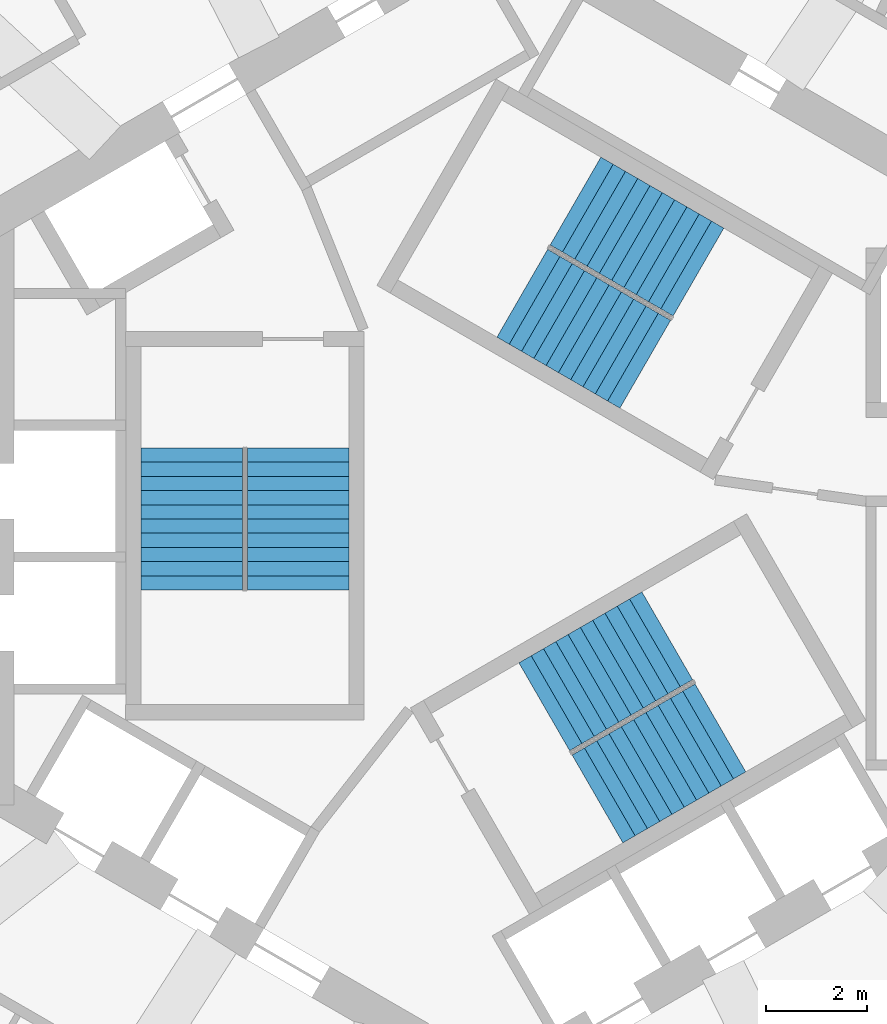
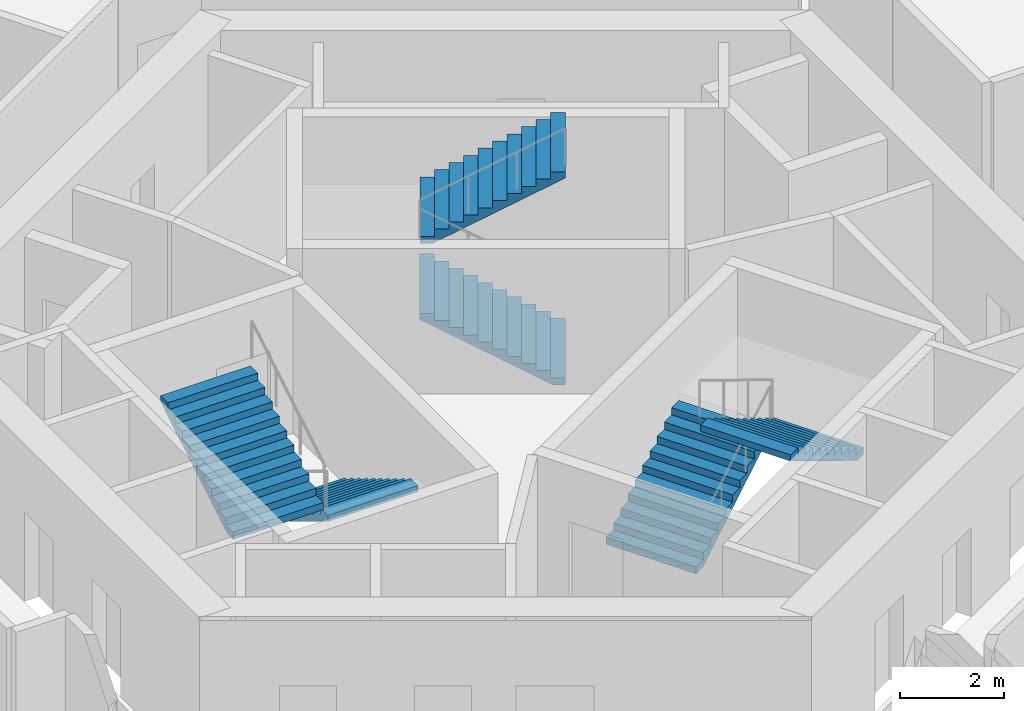
# One storey, part 9 of 11: 6 stair flights, 3 elements without a shape of their own.
"""IFC4 building model written with IfcOpenShell, lengths in metres."""

from ifc_helpers import new_model, si_unit, direction, frame, origin, place, context, subcontext, project, spatial, triangles, source, transform, mapped, material, type_object, element, aggregate, save


model = new_model("IFC4")

# Units and contexts
model_context = context("Model", 3, precision=1e-05, world=origin(), true_north=direction((0.0, 1.0)))
body_context = subcontext(model_context, "Body", "Model", "MODEL_VIEW")
ifc_project = project(units=[si_unit("LENGTHUNIT", "METRE"), si_unit("AREAUNIT", "SQUARE_METRE"), si_unit("VOLUMEUNIT", "CUBIC_METRE"), si_unit("PLANEANGLEUNIT", "RADIAN"), si_unit("MASSUNIT", "GRAM", prefix="KILO")], contexts=[model_context])

# Site, building, storey
site_placement = place(None, origin())
site = spatial("IfcSite", under=ifc_project, at=site_placement, CompositionType="ELEMENT")
building_placement = place(site_placement, origin())
building = spatial("IfcBuilding", under=site, at=building_placement, Name="Vanh Sen Convention Tower", CompositionType="ELEMENT")
storey_placement = place(building_placement, frame((0.0, 0.0, 285.699951171875)))
storey = spatial("IfcBuildingStorey", under=building, at=storey_placement, Name="L70", CompositionType="ELEMENT", Elevation=285.699951171875)

# Stair, stair flights
ifc_material_1 = material(Name="Concrete C50/60", Category="concrete")
stair_type_1 = type_object("IfcStairType", Name="Exit stair ST1 22 risers at 168.2", PredefinedType="HALF_TURN_STAIR", material=ifc_material_1)
stair_1_placement = place(storey_placement, origin())
stair_1 = element("IfcStair", 1, at=stair_1_placement, inside=storey, type_object=stair_type_1, Name="Exit stair ST1 L70", PredefinedType="HALF_TURN_STAIR")
ifc_material_2 = material(Name="Concrete C40/50", Category="concrete")
stair_flight_type = type_object("IfcStairFlightType", Name="Stair flight 2000", PredefinedType="STRAIGHT", material=ifc_material_2)
shared_shape = source(origin(), body_context, "Body", "Tessellation", [
    triangles([(0.24267578125, 1.0, 0.0), (0.0, 1.0, 0.0), (0.0, 1.0, 0.168212890625), (0.280029296875, 1.0, 0.168212890625), (0.280029296875, 1.0, 0.33642578125), (0.56005859375, 1.0, 0.33642578125), (0.56005859375, 1.0, 0.504638671875), (0.840087890625, 1.0, 0.504638671875), (0.840087890625, 1.0, 0.672607421875), (1.1201171875, 1.0, 0.672607421875), (1.1201171875, 1.0, 0.8408203125), (1.39990234375, 1.0, 0.8408203125), (1.39990234375, 1.0, 1.009033203125), (1.679931640625, 1.0, 1.009033203125), (1.679931640625, 1.0, 1.17724609375), (1.9599609375, 1.0, 1.17724609375), (1.9599609375, 1.0, 1.345458984375), (2.239990234375, 1.0, 1.345458984375), (2.239990234375, 1.0, 1.513671875), (2.52001953125, 1.0, 1.513671875), (2.52001953125, 1.0, 1.681884765625), (2.800048828125, 1.0, 1.681884765625), (2.800048828125, 1.0, 1.535888671875), (0.24267578125, -1.0, 0.0), (0.0, -1.0, 0.0), (0.0, -1.0, 0.168212890625), (0.280029296875, -1.0, 0.168212890625), (0.280029296875, -1.0, 0.33642578125), (0.56005859375, -1.0, 0.33642578125), (0.56005859375, -1.0, 0.504638671875), (0.840087890625, -1.0, 0.504638671875), (0.840087890625, -1.0, 0.672607421875), (1.1201171875, -1.0, 0.672607421875), (1.1201171875, -1.0, 0.8408203125), (1.39990234375, -1.0, 0.8408203125), (1.39990234375, -1.0, 1.009033203125), (1.679931640625, -1.0, 1.009033203125), (1.679931640625, -1.0, 1.17724609375), (1.9599609375, -1.0, 1.17724609375), (1.9599609375, -1.0, 1.345458984375), (2.239990234375, -1.0, 1.345458984375), (2.239990234375, -1.0, 1.513671875), (2.52001953125, -1.0, 1.513671875), (2.52001953125, -1.0, 1.681884765625), (2.800048828125, -1.0, 1.681884765625), (2.800048828125, -1.0, 1.535888671875), (0.0, 0.0400390625, 0.0), (0.0, 0.0390625, 0.0), (0.0, 0.0380859375, 0.0), (0.0, 0.037109375, 0.0), (0.0, 0.035888671875, 0.0), (0.0, 0.034912109375, 0.0), (0.0, 0.033935546875, 0.0), (0.0, 0.032958984375, 0.0), (0.0, 0.031982421875, 0.0), (0.0, 0.031005859375, 0.0), (0.0, 0.030029296875, 0.0), (0.0, 0.029052734375, 0.0), (0.0, 0.028076171875, 0.0), (0.0, 0.027099609375, 0.0), (0.0, 0.02587890625, 0.0), (0.0, 0.02490234375, 0.0), (0.0, 0.02392578125, 0.0), (0.0, 0.02294921875, 0.0), (0.0, 0.02197265625, 0.0), (0.0, 0.02099609375, 0.0), (0.0, 0.02001953125, 0.0), (0.0, 0.01904296875, 0.0), (0.0, 0.01806640625, 0.0), (0.0, 0.01708984375, 0.0), (0.0, 0.01611328125, 0.0), (0.0, 0.014892578125, 0.0), (0.0, 0.013916015625, 0.0), (0.0, 0.012939453125, 0.0), (0.0, 0.011962890625, 0.0), (0.0, 0.010986328125, 0.0), (0.0, 0.010009765625, 0.0), (0.0, 0.009033203125, 0.0), (0.0, 0.008056640625, 0.0), (0.0, 0.007080078125, 0.0), (0.0, 0.006103515625, 0.0), (0.0, 0.0048828125, 0.0), (0.0, 0.00390625, 0.0), (0.0, 0.0029296875, 0.0), (0.0, 0.001953125, 0.0), (0.0, 0.0009765625, 0.0), (0.0, 0.0, 0.0), (0.0, -0.0009765625, 0.0), (0.0, -0.001953125, 0.0), (0.0, -0.0029296875, 0.0), (0.0, -0.00390625, 0.0), (0.0, -0.0048828125, 0.0), (0.0, -0.006103515625, 0.0), (0.0, -0.007080078125, 0.0), (0.0, -0.008056640625, 0.0), (0.0, -0.009033203125, 0.0), (0.0, -0.010009765625, 0.0), (0.0, -0.010986328125, 0.0), (0.0, -0.011962890625, 0.0), (0.0, -0.012939453125, 0.0), (0.0, -0.013916015625, 0.0), (0.0, -0.014892578125, 0.0), (0.0, -0.01611328125, 0.0), (0.0, -0.01708984375, 0.0), (0.0, -0.01806640625, 0.0), (0.0, -0.01904296875, 0.0), (0.0, -0.02001953125, 0.0), (0.0, -0.02099609375, 0.0), (0.0, -0.02197265625, 0.0), (0.0, -0.02294921875, 0.0), (0.0, -0.02392578125, 0.0), (0.0, -0.02490234375, 0.0), (0.0, -0.02587890625, 0.0), (0.0, -0.027099609375, 0.0), (0.0, -0.028076171875, 0.0), (0.0, -0.029052734375, 0.0), (0.0, -0.030029296875, 0.0), (0.0, -0.031005859375, 0.0), (0.0, -0.031982421875, 0.0), (0.0, -0.032958984375, 0.0), (0.0, -0.033935546875, 0.0), (0.0, -0.034912109375, 0.0), (0.0, -0.035888671875, 0.0), (0.0, -0.037109375, 0.0), (0.0, -0.0380859375, 0.0), (0.0, -0.0390625, 0.0), (0.0, -0.0400390625, 0.0), (0.0, 0.0400390625, 0.168212890625), (0.0, 0.0390625, 0.168212890625), (0.0, 0.0380859375, 0.168212890625), (0.0, 0.037109375, 0.168212890625), (0.0, 0.035888671875, 0.168212890625), (0.0, 0.034912109375, 0.168212890625), (0.0, 0.033935546875, 0.168212890625), (0.0, 0.032958984375, 0.168212890625), (0.0, 0.031982421875, 0.168212890625), (0.0, 0.031005859375, 0.168212890625), (0.0, 0.030029296875, 0.168212890625), (0.0, 0.029052734375, 0.168212890625), (0.0, 0.028076171875, 0.168212890625), (0.0, 0.027099609375, 0.168212890625), (0.0, 0.02587890625, 0.168212890625), (0.0, 0.02490234375, 0.168212890625), (0.0, 0.02392578125, 0.168212890625), (0.0, 0.02294921875, 0.168212890625), (0.0, 0.02197265625, 0.168212890625), (0.0, 0.02099609375, 0.168212890625), (0.0, 0.02001953125, 0.168212890625), (0.0, 0.01904296875, 0.168212890625), (0.0, 0.01806640625, 0.168212890625), (0.0, 0.01708984375, 0.168212890625), (0.0, 0.01611328125, 0.168212890625), (0.0, 0.014892578125, 0.168212890625), (0.0, 0.013916015625, 0.168212890625), (0.0, 0.012939453125, 0.168212890625), (0.0, 0.011962890625, 0.168212890625), (0.0, 0.010986328125, 0.168212890625), (0.0, 0.010009765625, 0.168212890625), (0.0, 0.009033203125, 0.168212890625), (0.0, 0.008056640625, 0.168212890625), (0.0, 0.007080078125, 0.168212890625), (0.0, 0.006103515625, 0.168212890625), (0.0, 0.0048828125, 0.168212890625), (0.0, 0.00390625, 0.168212890625), (0.0, 0.0029296875, 0.168212890625), (0.0, 0.001953125, 0.168212890625), (0.0, 0.0009765625, 0.168212890625), (0.0, 0.0, 0.168212890625), (0.0, -0.0009765625, 0.168212890625), (0.0, -0.001953125, 0.168212890625), (0.0, -0.0029296875, 0.168212890625), (0.0, -0.00390625, 0.168212890625), (0.0, -0.0048828125, 0.168212890625), (0.0, -0.006103515625, 0.168212890625), (0.0, -0.007080078125, 0.168212890625), (0.0, -0.008056640625, 0.168212890625), (0.0, -0.009033203125, 0.168212890625), (0.0, -0.010009765625, 0.168212890625), (0.0, -0.010986328125, 0.168212890625), (0.0, -0.011962890625, 0.168212890625), (0.0, -0.012939453125, 0.168212890625), (0.0, -0.013916015625, 0.168212890625), (0.0, -0.014892578125, 0.168212890625), (0.0, -0.01611328125, 0.168212890625), (0.0, -0.01708984375, 0.168212890625), (0.0, -0.01806640625, 0.168212890625), (0.0, -0.01904296875, 0.168212890625), (0.0, -0.02001953125, 0.168212890625), (0.0, -0.02099609375, 0.168212890625), (0.0, -0.02197265625, 0.168212890625), (0.0, -0.02294921875, 0.168212890625), (0.0, -0.02392578125, 0.168212890625), (0.0, -0.02490234375, 0.168212890625), (0.0, -0.02587890625, 0.168212890625), (0.0, -0.027099609375, 0.168212890625), (0.0, -0.028076171875, 0.168212890625), (0.0, -0.029052734375, 0.168212890625), (0.0, -0.030029296875, 0.168212890625), (0.0, -0.031005859375, 0.168212890625), (0.0, -0.031982421875, 0.168212890625), (0.0, -0.032958984375, 0.168212890625), (0.0, -0.033935546875, 0.168212890625), (0.0, -0.034912109375, 0.168212890625), (0.0, -0.035888671875, 0.168212890625), (0.0, -0.037109375, 0.168212890625), (0.0, -0.0380859375, 0.168212890625), (0.0, -0.0390625, 0.168212890625), (0.0, -0.0400390625, 0.168212890625), (0.280029296875, 0.0, 0.168212890625), (0.280029296875, 0.0, 0.33642578125), (0.56005859375, 0.0, 0.33642578125), (0.56005859375, 0.0, 0.504638671875), (0.840087890625, 0.0, 0.504638671875), (0.840087890625, 0.0, 0.672607421875), (1.1201171875, 0.0, 0.672607421875), (1.1201171875, 0.0, 0.8408203125), (1.39990234375, 0.0, 0.8408203125), (1.39990234375, 0.0, 1.009033203125), (1.679931640625, 0.0, 1.009033203125), (1.679931640625, 0.0, 1.17724609375), (1.9599609375, 0.0, 1.17724609375), (1.9599609375, 0.0, 1.345458984375), (2.239990234375, 0.0, 1.345458984375), (2.239990234375, 0.0, 1.513671875), (2.52001953125, 0.0, 1.513671875), (2.52001953125, 0.0, 1.681884765625), (2.800048828125, 0.0400390625, 1.681884765625), (2.800048828125, 0.0390625, 1.681884765625), (2.800048828125, 0.0380859375, 1.681884765625), (2.800048828125, 0.037109375, 1.681884765625), (2.800048828125, 0.035888671875, 1.681884765625), (2.800048828125, 0.034912109375, 1.681884765625), (2.800048828125, 0.033935546875, 1.681884765625), (2.800048828125, 0.032958984375, 1.681884765625), (2.800048828125, 0.031982421875, 1.681884765625), (2.800048828125, 0.031005859375, 1.681884765625), (2.800048828125, 0.030029296875, 1.681884765625), (2.800048828125, 0.029052734375, 1.681884765625), (2.800048828125, 0.028076171875, 1.681884765625), (2.800048828125, 0.027099609375, 1.681884765625), (2.800048828125, 0.02587890625, 1.681884765625), (2.800048828125, 0.02490234375, 1.681884765625), (2.800048828125, 0.02392578125, 1.681884765625), (2.800048828125, 0.02294921875, 1.681884765625), (2.800048828125, 0.02197265625, 1.681884765625), (2.800048828125, 0.02099609375, 1.681884765625), (2.800048828125, 0.02001953125, 1.681884765625), (2.800048828125, 0.01904296875, 1.681884765625), (2.800048828125, 0.01806640625, 1.681884765625), (2.800048828125, 0.01708984375, 1.681884765625), (2.800048828125, 0.01611328125, 1.681884765625), (2.800048828125, 0.014892578125, 1.681884765625), (2.800048828125, 0.013916015625, 1.681884765625), (2.800048828125, 0.012939453125, 1.681884765625), (2.800048828125, 0.011962890625, 1.681884765625), (2.800048828125, 0.010986328125, 1.681884765625), (2.800048828125, 0.010009765625, 1.681884765625), (2.800048828125, 0.009033203125, 1.681884765625), (2.800048828125, 0.008056640625, 1.681884765625), (2.800048828125, 0.007080078125, 1.681884765625), (2.800048828125, 0.006103515625, 1.681884765625), (2.800048828125, 0.0048828125, 1.681884765625), (2.800048828125, 0.00390625, 1.681884765625), (2.800048828125, 0.0029296875, 1.681884765625), (2.800048828125, 0.001953125, 1.681884765625), (2.800048828125, 0.0009765625, 1.681884765625), (2.800048828125, 0.0, 1.681884765625), (2.800048828125, -0.0009765625, 1.681884765625), (2.800048828125, -0.001953125, 1.681884765625), (2.800048828125, -0.0029296875, 1.681884765625), (2.800048828125, -0.00390625, 1.681884765625), (2.800048828125, -0.0048828125, 1.681884765625), (2.800048828125, -0.006103515625, 1.681884765625), (2.800048828125, -0.007080078125, 1.681884765625), (2.800048828125, -0.008056640625, 1.681884765625), (2.800048828125, -0.009033203125, 1.681884765625), (2.800048828125, -0.010009765625, 1.681884765625), (2.800048828125, -0.010986328125, 1.681884765625), (2.800048828125, -0.011962890625, 1.681884765625), (2.800048828125, -0.012939453125, 1.681884765625), (2.800048828125, -0.013916015625, 1.681884765625), (2.800048828125, -0.014892578125, 1.681884765625), (2.800048828125, -0.01611328125, 1.681884765625), (2.800048828125, -0.01708984375, 1.681884765625), (2.800048828125, -0.01806640625, 1.681884765625), (2.800048828125, -0.01904296875, 1.681884765625), (2.800048828125, -0.02001953125, 1.681884765625), (2.800048828125, -0.02099609375, 1.681884765625), (2.800048828125, -0.02197265625, 1.681884765625), (2.800048828125, -0.02294921875, 1.681884765625), (2.800048828125, -0.02392578125, 1.681884765625), (2.800048828125, -0.02490234375, 1.681884765625), (2.800048828125, -0.02587890625, 1.681884765625), (2.800048828125, -0.027099609375, 1.681884765625), (2.800048828125, -0.028076171875, 1.681884765625), (2.800048828125, -0.029052734375, 1.681884765625), (2.800048828125, -0.030029296875, 1.681884765625), (2.800048828125, -0.031005859375, 1.681884765625), (2.800048828125, -0.031982421875, 1.681884765625), (2.800048828125, -0.032958984375, 1.681884765625), (2.800048828125, -0.033935546875, 1.681884765625), (2.800048828125, -0.034912109375, 1.681884765625), (2.800048828125, -0.035888671875, 1.681884765625), (2.800048828125, -0.037109375, 1.681884765625), (2.800048828125, -0.0380859375, 1.681884765625), (2.800048828125, -0.0390625, 1.681884765625), (2.800048828125, -0.0400390625, 1.681884765625), (2.800048828125, 0.0400390625, 1.535888671875), (2.800048828125, 0.0390625, 1.535888671875), (2.800048828125, 0.0380859375, 1.535888671875), (2.800048828125, 0.037109375, 1.535888671875), (2.800048828125, 0.035888671875, 1.535888671875), (2.800048828125, 0.034912109375, 1.535888671875), (2.800048828125, 0.033935546875, 1.535888671875), (2.800048828125, 0.032958984375, 1.535888671875), (2.800048828125, 0.031982421875, 1.535888671875), (2.800048828125, 0.031005859375, 1.535888671875), (2.800048828125, 0.030029296875, 1.535888671875), (2.800048828125, 0.029052734375, 1.535888671875), (2.800048828125, 0.028076171875, 1.535888671875), (2.800048828125, 0.027099609375, 1.535888671875), (2.800048828125, 0.02587890625, 1.535888671875), (2.800048828125, 0.02490234375, 1.535888671875), (2.800048828125, 0.02392578125, 1.535888671875), (2.800048828125, 0.02294921875, 1.535888671875), (2.800048828125, 0.02197265625, 1.535888671875), (2.800048828125, 0.02099609375, 1.535888671875), (2.800048828125, 0.02001953125, 1.535888671875), (2.800048828125, 0.01904296875, 1.535888671875), (2.800048828125, 0.01806640625, 1.535888671875), (2.800048828125, 0.01708984375, 1.535888671875), (2.800048828125, 0.01611328125, 1.535888671875), (2.800048828125, 0.014892578125, 1.535888671875), (2.800048828125, 0.013916015625, 1.535888671875), (2.800048828125, 0.012939453125, 1.535888671875), (2.800048828125, 0.011962890625, 1.535888671875), (2.800048828125, 0.010986328125, 1.535888671875), (2.800048828125, 0.010009765625, 1.535888671875), (2.800048828125, 0.009033203125, 1.535888671875), (2.800048828125, 0.008056640625, 1.535888671875), (2.800048828125, 0.007080078125, 1.535888671875), (2.800048828125, 0.006103515625, 1.535888671875), (2.800048828125, 0.0048828125, 1.535888671875), (2.800048828125, 0.00390625, 1.535888671875), (2.800048828125, 0.0029296875, 1.535888671875), (2.800048828125, 0.001953125, 1.535888671875), (2.800048828125, 0.0009765625, 1.535888671875), (2.800048828125, 0.0, 1.535888671875), (2.800048828125, -0.0009765625, 1.535888671875), (2.800048828125, -0.001953125, 1.535888671875), (2.800048828125, -0.0029296875, 1.535888671875), (2.800048828125, -0.00390625, 1.535888671875), (2.800048828125, -0.0048828125, 1.535888671875), (2.800048828125, -0.006103515625, 1.535888671875), (2.800048828125, -0.007080078125, 1.535888671875), (2.800048828125, -0.008056640625, 1.535888671875), (2.800048828125, -0.009033203125, 1.535888671875), (2.800048828125, -0.010009765625, 1.535888671875), (2.800048828125, -0.010986328125, 1.535888671875), (2.800048828125, -0.011962890625, 1.535888671875), (2.800048828125, -0.012939453125, 1.535888671875), (2.800048828125, -0.013916015625, 1.535888671875), (2.800048828125, -0.014892578125, 1.535888671875), (2.800048828125, -0.01611328125, 1.535888671875), (2.800048828125, -0.01708984375, 1.535888671875), (2.800048828125, -0.01806640625, 1.535888671875), (2.800048828125, -0.01904296875, 1.535888671875), (2.800048828125, -0.02001953125, 1.535888671875), (2.800048828125, -0.02099609375, 1.535888671875), (2.800048828125, -0.02197265625, 1.535888671875), (2.800048828125, -0.02294921875, 1.535888671875), (2.800048828125, -0.02392578125, 1.535888671875), (2.800048828125, -0.02490234375, 1.535888671875), (2.800048828125, -0.02587890625, 1.535888671875), (2.800048828125, -0.027099609375, 1.535888671875), (2.800048828125, -0.028076171875, 1.535888671875), (2.800048828125, -0.029052734375, 1.535888671875), (2.800048828125, -0.030029296875, 1.535888671875), (2.800048828125, -0.031005859375, 1.535888671875), (2.800048828125, -0.031982421875, 1.535888671875), (2.800048828125, -0.032958984375, 1.535888671875), (2.800048828125, -0.033935546875, 1.535888671875), (2.800048828125, -0.034912109375, 1.535888671875), (2.800048828125, -0.035888671875, 1.535888671875), (2.800048828125, -0.037109375, 1.535888671875), (2.800048828125, -0.0380859375, 1.535888671875), (2.800048828125, -0.0390625, 1.535888671875), (2.800048828125, -0.0400390625, 1.535888671875), (0.24267578125, 0.0, 0.0)], [[1, 2, 3], [1, 3, 4], [4, 5, 6], [1, 4, 6], [6, 7, 8], [1, 6, 8], [8, 9, 10], [1, 8, 10], [10, 11, 12], [1, 10, 12], [12, 13, 14], [1, 12, 14], [14, 15, 16], [1, 14, 16], [16, 17, 18], [1, 16, 18], [18, 19, 20], [1, 18, 20], [20, 21, 22], [1, 20, 22], [22, 23, 1], [24, 26, 25], [24, 27, 26], [27, 29, 28], [24, 29, 27], [29, 31, 30], [24, 31, 29], [31, 33, 32], [24, 33, 31], [33, 35, 34], [24, 35, 33], [35, 37, 36], [24, 37, 35], [37, 39, 38], [24, 39, 37], [39, 41, 40], [24, 41, 39], [41, 43, 42], [24, 43, 41], [43, 45, 44], [24, 45, 43], [45, 24, 46], [2, 128, 3], [2, 47, 128], [47, 129, 128], [47, 48, 129], [48, 130, 129], [48, 49, 130], [49, 131, 130], [49, 50, 131], [50, 132, 131], [50, 51, 132], [51, 133, 132], [51, 52, 133], [52, 134, 133], [52, 53, 134], [53, 135, 134], [53, 54, 135], [54, 136, 135], [54, 55, 136], [55, 137, 136], [55, 56, 137], [56, 138, 137], [56, 57, 138], [57, 139, 138], [57, 58, 139], [58, 140, 139], [58, 59, 140], [59, 141, 140], [59, 60, 141], [60, 142, 141], [60, 61, 142], [61, 143, 142], [61, 62, 143], [62, 144, 143], [62, 63, 144], [63, 145, 144], [63, 64, 145], [64, 146, 145], [64, 65, 146], [65, 147, 146], [65, 66, 147], [66, 148, 147], [66, 67, 148], [67, 149, 148], [67, 68, 149], [68, 150, 149], [68, 69, 150], [69, 151, 150], [69, 70, 151], [70, 152, 151], [70, 71, 152], [71, 153, 152], [71, 72, 153], [72, 154, 153], [72, 73, 154], [73, 155, 154], [73, 74, 155], [74, 156, 155], [74, 75, 156], [75, 157, 156], [75, 76, 157], [76, 158, 157], [76, 77, 158], [77, 159, 158], [77, 78, 159], [78, 160, 159], [78, 79, 160], [79, 161, 160], [79, 80, 161], [80, 162, 161], [80, 81, 162], [81, 163, 162], [81, 82, 163], [82, 164, 163], [82, 83, 164], [83, 165, 164], [83, 84, 165], [84, 166, 165], [84, 85, 166], [85, 167, 166], [85, 86, 167], [86, 168, 167], [86, 87, 168], [87, 88, 168], [168, 88, 169], [88, 89, 169], [169, 89, 170], [89, 90, 170], [170, 90, 171], [90, 91, 171], [171, 91, 172], [91, 92, 172], [172, 92, 173], [92, 93, 173], [173, 93, 174], [93, 94, 174], [174, 94, 175], [94, 95, 175], [175, 95, 176], [95, 96, 176], [176, 96, 177], [96, 97, 177], [177, 97, 178], [97, 98, 178], [178, 98, 179], [98, 99, 179], [179, 99, 180], [99, 100, 180], [180, 100, 181], [100, 101, 181], [181, 101, 182], [101, 102, 182], [182, 102, 183], [102, 103, 183], [183, 103, 184], [103, 104, 184], [184, 104, 185], [104, 105, 185], [185, 105, 186], [105, 106, 186], [186, 106, 187], [106, 107, 187], [187, 107, 188], [107, 108, 188], [188, 108, 189], [108, 109, 189], [189, 109, 190], [109, 110, 190], [190, 110, 191], [110, 111, 191], [191, 111, 192], [111, 112, 192], [192, 112, 193], [112, 113, 193], [193, 113, 194], [113, 114, 194], [194, 114, 195], [114, 115, 195], [195, 115, 196], [115, 116, 196], [196, 116, 197], [116, 117, 197], [197, 117, 198], [117, 118, 198], [198, 118, 199], [118, 119, 199], [199, 119, 200], [119, 120, 200], [200, 120, 201], [120, 121, 201], [201, 121, 202], [121, 122, 202], [202, 122, 203], [122, 123, 203], [203, 123, 204], [123, 124, 204], [204, 124, 205], [124, 125, 205], [205, 125, 206], [125, 126, 206], [206, 126, 207], [126, 127, 207], [207, 127, 208], [127, 25, 208], [208, 25, 26], [4, 3, 128], [4, 128, 129], [4, 129, 130], [4, 130, 131], [4, 131, 132], [4, 132, 133], [4, 133, 134], [4, 134, 135], [4, 135, 136], [4, 136, 137], [4, 137, 138], [4, 138, 139], [4, 139, 140], [4, 140, 141], [4, 141, 142], [4, 142, 143], [4, 143, 144], [4, 144, 145], [4, 145, 146], [4, 146, 147], [4, 147, 148], [4, 148, 149], [4, 149, 150], [4, 150, 151], [4, 151, 152], [4, 152, 153], [4, 153, 154], [4, 154, 155], [4, 155, 156], [4, 156, 157], [4, 157, 158], [4, 158, 159], [4, 159, 160], [4, 160, 161], [4, 161, 162], [4, 162, 163], [4, 163, 164], [4, 164, 165], [4, 165, 166], [4, 166, 167], [4, 167, 168], [27, 168, 169], [27, 169, 170], [27, 170, 171], [27, 171, 172], [27, 172, 173], [27, 173, 174], [27, 174, 175], [27, 175, 176], [27, 176, 177], [27, 177, 178], [27, 178, 179], [27, 179, 180], [27, 180, 181], [27, 181, 182], [27, 182, 183], [27, 183, 184], [27, 184, 185], [27, 185, 186], [27, 186, 187], [27, 187, 188], [27, 188, 189], [27, 189, 190], [27, 190, 191], [27, 191, 192], [27, 192, 193], [27, 193, 194], [27, 194, 195], [27, 195, 196], [27, 196, 197], [27, 197, 198], [27, 198, 199], [27, 199, 200], [27, 200, 201], [27, 201, 202], [27, 202, 203], [27, 203, 204], [27, 204, 205], [27, 205, 206], [27, 206, 207], [27, 207, 208], [27, 208, 26], [4, 168, 209], [27, 209, 168], [4, 210, 5], [4, 209, 210], [209, 27, 210], [210, 27, 28], [5, 211, 6], [5, 210, 211], [210, 28, 211], [211, 28, 29], [6, 212, 7], [6, 211, 212], [211, 29, 212], [212, 29, 30], [7, 213, 8], [7, 212, 213], [212, 30, 213], [213, 30, 31], [8, 214, 9], [8, 213, 214], [213, 31, 214], [214, 31, 32], [9, 215, 10], [9, 214, 215], [214, 32, 215], [215, 32, 33], [10, 216, 11], [10, 215, 216], [215, 33, 216], [216, 33, 34], [11, 217, 12], [11, 216, 217], [216, 34, 217], [217, 34, 35], [12, 218, 13], [12, 217, 218], [217, 35, 218], [218, 35, 36], [13, 219, 14], [13, 218, 219], [218, 36, 219], [219, 36, 37], [14, 220, 15], [14, 219, 220], [219, 37, 220], [220, 37, 38], [15, 221, 16], [15, 220, 221], [220, 38, 221], [221, 38, 39], [16, 222, 17], [16, 221, 222], [221, 39, 222], [222, 39, 40], [17, 223, 18], [17, 222, 223], [222, 40, 223], [223, 40, 41], [18, 224, 19], [18, 223, 224], [223, 41, 224], [224, 41, 42], [19, 225, 20], [19, 224, 225], [224, 42, 225], [225, 42, 43], [20, 226, 21], [20, 225, 226], [225, 43, 226], [226, 43, 44], [21, 227, 22], [21, 228, 227], [21, 229, 228], [21, 230, 229], [21, 231, 230], [21, 232, 231], [21, 233, 232], [21, 234, 233], [21, 235, 234], [21, 236, 235], [21, 237, 236], [21, 238, 237], [21, 239, 238], [21, 240, 239], [21, 241, 240], [21, 242, 241], [21, 243, 242], [21, 244, 243], [21, 245, 244], [21, 246, 245], [21, 247, 246], [21, 248, 247], [21, 249, 248], [21, 250, 249], [21, 251, 250], [21, 252, 251], [21, 253, 252], [21, 254, 253], [21, 255, 254], [21, 256, 255], [21, 257, 256], [21, 258, 257], [21, 259, 258], [21, 260, 259], [21, 261, 260], [21, 262, 261], [21, 263, 262], [21, 264, 263], [21, 265, 264], [21, 266, 265], [21, 267, 266], [44, 268, 267], [44, 269, 268], [44, 270, 269], [44, 271, 270], [44, 272, 271], [44, 273, 272], [44, 274, 273], [44, 275, 274], [44, 276, 275], [44, 277, 276], [44, 278, 277], [44, 279, 278], [44, 280, 279], [44, 281, 280], [44, 282, 281], [44, 283, 282], [44, 284, 283], [44, 285, 284], [44, 286, 285], [44, 287, 286], [44, 288, 287], [44, 289, 288], [44, 290, 289], [44, 291, 290], [44, 292, 291], [44, 293, 292], [44, 294, 293], [44, 295, 294], [44, 296, 295], [44, 297, 296], [44, 298, 297], [44, 299, 298], [44, 300, 299], [44, 301, 300], [44, 302, 301], [44, 303, 302], [44, 304, 303], [44, 305, 304], [44, 306, 305], [44, 307, 306], [44, 45, 307], [21, 226, 267], [44, 267, 226], [22, 308, 23], [22, 227, 308], [227, 309, 308], [227, 228, 309], [228, 310, 309], [228, 229, 310], [229, 311, 310], [229, 230, 311], [230, 312, 311], [230, 231, 312], [231, 313, 312], [231, 232, 313], [232, 314, 313], [232, 233, 314], [233, 315, 314], [233, 234, 315], [234, 316, 315], [234, 235, 316], [235, 317, 316], [235, 236, 317], [236, 318, 317], [236, 237, 318], [237, 319, 318], [237, 238, 319], [238, 320, 319], [238, 239, 320], [239, 321, 320], [239, 240, 321], [240, 322, 321], [240, 241, 322], [241, 323, 322], [241, 242, 323], [242, 324, 323], [242, 243, 324], [243, 325, 324], [243, 244, 325], [244, 326, 325], [244, 245, 326], [245, 327, 326], [245, 246, 327], [246, 328, 327], [246, 247, 328], [247, 329, 328], [247, 248, 329], [248, 330, 329], [248, 249, 330], [249, 331, 330], [249, 250, 331], [250, 332, 331], [250, 251, 332], [251, 333, 332], [251, 252, 333], [252, 334, 333], [252, 253, 334], [253, 335, 334], [253, 254, 335], [254, 336, 335], [254, 255, 336], [255, 337, 336], [255, 256, 337], [256, 338, 337], [256, 257, 338], [257, 339, 338], [257, 258, 339], [258, 340, 339], [258, 259, 340], [259, 341, 340], [259, 260, 341], [260, 342, 341], [260, 261, 342], [261, 343, 342], [261, 262, 343], [262, 344, 343], [262, 263, 344], [263, 345, 344], [263, 264, 345], [264, 346, 345], [264, 265, 346], [265, 347, 346], [265, 266, 347], [266, 348, 347], [266, 267, 348], [267, 268, 348], [348, 268, 349], [268, 269, 349], [349, 269, 350], [269, 270, 350], [350, 270, 351], [270, 271, 351], [351, 271, 352], [271, 272, 352], [352, 272, 353], [272, 273, 353], [353, 273, 354], [273, 274, 354], [354, 274, 355], [274, 275, 355], [355, 275, 356], [275, 276, 356], [356, 276, 357], [276, 277, 357], [357, 277, 358], [277, 278, 358], [358, 278, 359], [278, 279, 359], [359, 279, 360], [279, 280, 360], [360, 280, 361], [280, 281, 361], [361, 281, 362], [281, 282, 362], [362, 282, 363], [282, 283, 363], [363, 283, 364], [283, 284, 364], [364, 284, 365], [284, 285, 365], [365, 285, 366], [285, 286, 366], [366, 286, 367], [286, 287, 367], [367, 287, 368], [287, 288, 368], [368, 288, 369], [288, 289, 369], [369, 289, 370], [289, 290, 370], [370, 290, 371], [290, 291, 371], [371, 291, 372], [291, 292, 372], [372, 292, 373], [292, 293, 373], [373, 293, 374], [293, 294, 374], [374, 294, 375], [294, 295, 375], [375, 295, 376], [295, 296, 376], [376, 296, 377], [296, 297, 377], [377, 297, 378], [297, 298, 378], [378, 298, 379], [298, 299, 379], [379, 299, 380], [299, 300, 380], [380, 300, 381], [300, 301, 381], [381, 301, 382], [301, 302, 382], [382, 302, 383], [302, 303, 383], [383, 303, 384], [303, 304, 384], [384, 304, 385], [304, 305, 385], [385, 305, 386], [305, 306, 386], [386, 306, 387], [306, 307, 387], [387, 307, 388], [307, 45, 388], [388, 45, 46], [1, 23, 308], [1, 308, 309], [1, 309, 310], [1, 310, 311], [1, 311, 312], [1, 312, 313], [1, 313, 314], [1, 314, 315], [1, 315, 316], [1, 316, 317], [1, 317, 318], [1, 318, 319], [1, 319, 320], [1, 320, 321], [1, 321, 322], [1, 322, 323], [1, 323, 324], [1, 324, 325], [1, 325, 326], [1, 326, 327], [1, 327, 328], [1, 328, 329], [1, 329, 330], [1, 330, 331], [1, 331, 332], [1, 332, 333], [1, 333, 334], [1, 334, 335], [1, 335, 336], [1, 336, 337], [1, 337, 338], [1, 338, 339], [1, 339, 340], [1, 340, 341], [1, 341, 342], [1, 342, 343], [1, 343, 344], [1, 344, 345], [1, 345, 346], [1, 346, 347], [1, 347, 348], [24, 348, 349], [24, 349, 350], [24, 350, 351], [24, 351, 352], [24, 352, 353], [24, 353, 354], [24, 354, 355], [24, 355, 356], [24, 356, 357], [24, 357, 358], [24, 358, 359], [24, 359, 360], [24, 360, 361], [24, 361, 362], [24, 362, 363], [24, 363, 364], [24, 364, 365], [24, 365, 366], [24, 366, 367], [24, 367, 368], [24, 368, 369], [24, 369, 370], [24, 370, 371], [24, 371, 372], [24, 372, 373], [24, 373, 374], [24, 374, 375], [24, 375, 376], [24, 376, 377], [24, 377, 378], [24, 378, 379], [24, 379, 380], [24, 380, 381], [24, 381, 382], [24, 382, 383], [24, 383, 384], [24, 384, 385], [24, 385, 386], [24, 386, 387], [24, 387, 388], [24, 388, 46], [1, 348, 389], [24, 389, 348], [1, 47, 2], [1, 48, 47], [1, 49, 48], [1, 50, 49], [1, 51, 50], [1, 52, 51], [1, 53, 52], [1, 54, 53], [1, 55, 54], [1, 56, 55], [1, 57, 56], [1, 58, 57], [1, 59, 58], [1, 60, 59], [1, 61, 60], [1, 62, 61], [1, 63, 62], [1, 64, 63], [1, 65, 64], [1, 66, 65], [1, 67, 66], [1, 68, 67], [1, 69, 68], [1, 70, 69], [1, 71, 70], [1, 72, 71], [1, 73, 72], [1, 74, 73], [1, 75, 74], [1, 76, 75], [1, 77, 76], [1, 78, 77], [1, 79, 78], [1, 80, 79], [1, 81, 80], [1, 82, 81], [1, 83, 82], [1, 84, 83], [1, 85, 84], [1, 86, 85], [1, 87, 86], [24, 88, 87], [24, 89, 88], [24, 90, 89], [24, 91, 90], [24, 92, 91], [24, 93, 92], [24, 94, 93], [24, 95, 94], [24, 96, 95], [24, 97, 96], [24, 98, 97], [24, 99, 98], [24, 100, 99], [24, 101, 100], [24, 102, 101], [24, 103, 102], [24, 104, 103], [24, 105, 104], [24, 106, 105], [24, 107, 106], [24, 108, 107], [24, 109, 108], [24, 110, 109], [24, 111, 110], [24, 112, 111], [24, 113, 112], [24, 114, 113], [24, 115, 114], [24, 116, 115], [24, 117, 116], [24, 118, 117], [24, 119, 118], [24, 120, 119], [24, 121, 120], [24, 122, 121], [24, 123, 122], [24, 124, 123], [24, 125, 124], [24, 126, 125], [24, 127, 126], [24, 25, 127], [1, 389, 87], [24, 87, 389]], closed=True),
])
stair_flight_1_placement = place(storey_placement, frame((2.94580078125, 2.802490234375, 0.0), z_axis=(0.0, 0.0, 1.0), x_axis=(-0.866025403784, 0.5, 0.0)))
stair_flight_1 = element("IfcStairFlight", 2, at=stair_flight_1_placement, type_object=stair_flight_type, Name="ST1 flight 1", NumberOfRisers=11, NumberOfTreads=10, PredefinedType="STRAIGHT", RiserHeight=0.168181818, TreadLength=0.28, context=body_context, shape_type="MappedRepresentation", body=[
    mapped(shared_shape, transform((0.0, 0.0, 0.0))),
])
stair_flight_2_placement = place(storey_placement, frame((1.571044921875, 6.021240234375, 1.85009765625), z_axis=(0.0, 0.0, 1.0), x_axis=(0.866025403784, -0.5, 0.0)))
stair_flight_2 = element("IfcStairFlight", 3, at=stair_flight_2_placement, type_object=stair_flight_type, Name="ST1 flight 2", NumberOfRisers=11, NumberOfTreads=10, PredefinedType="STRAIGHT", RiserHeight=0.168181818, TreadLength=0.28, context=body_context, shape_type="MappedRepresentation", body=[
    mapped(shared_shape, transform((0.0, 0.0, 0.0))),
])
aggregate(stair_1, [stair_flight_1, stair_flight_2])

stair_type_2 = type_object("IfcStairType", Name="Exit stair ST2 22 risers at 168.2", PredefinedType="HALF_TURN_STAIR", material=ifc_material_1)
stair_2_placement = place(storey_placement, origin())
stair_2 = element("IfcStair", 4, at=stair_2_placement, inside=storey, type_object=stair_type_2, Name="Exit stair ST2 L70", PredefinedType="HALF_TURN_STAIR")
stair_flight_3_placement = place(storey_placement, frame((-3.89990234375, 1.14990234375, 0.0), z_axis=(0.0, 0.0, 1.0), x_axis=(0.0, -1.0, 0.0)))
stair_flight_3 = element("IfcStairFlight", 5, at=stair_flight_3_placement, type_object=stair_flight_type, Name="ST2 flight 1", NumberOfRisers=11, NumberOfTreads=10, PredefinedType="STRAIGHT", RiserHeight=0.168181818, TreadLength=0.28, context=body_context, shape_type="MappedRepresentation", body=[
    mapped(shared_shape, transform((0.0, 0.0, 0.0))),
])
stair_flight_4_placement = place(storey_placement, frame((-6.0, -1.64990234375, 1.85009765625), z_axis=(0.0, 0.0, 1.0), x_axis=(0.0, 1.0, 0.0)))
stair_flight_4 = element("IfcStairFlight", 6, at=stair_flight_4_placement, type_object=stair_flight_type, Name="ST2 flight 2", NumberOfRisers=11, NumberOfTreads=10, PredefinedType="STRAIGHT", RiserHeight=0.168181818, TreadLength=0.28, context=body_context, shape_type="MappedRepresentation", body=[
    mapped(shared_shape, transform((0.0, 0.0, 0.0))),
])
aggregate(stair_2, [stair_flight_3, stair_flight_4])

stair_type_3 = type_object("IfcStairType", Name="Exit stair ST3 22 risers at 168.2", PredefinedType="HALF_TURN_STAIR", material=ifc_material_1)
stair_3_placement = place(storey_placement, origin())
stair_3 = element("IfcStair", 7, at=stair_3_placement, inside=storey, type_object=stair_type_3, Name="Exit stair ST3 L70", PredefinedType="HALF_TURN_STAIR")
stair_flight_5_placement = place(storey_placement, frame((0.9541015625, -3.952392578125, 0.0), z_axis=(0.0, 0.0, 1.0), x_axis=(0.866025403784, 0.5, 0.0)))
stair_flight_5 = element("IfcStairFlight", 8, at=stair_flight_5_placement, type_object=stair_flight_type, Name="ST3 flight 1", NumberOfRisers=11, NumberOfTreads=10, PredefinedType="STRAIGHT", RiserHeight=0.168181818, TreadLength=0.28, context=body_context, shape_type="MappedRepresentation", body=[
    mapped(shared_shape, transform((0.0, 0.0, 0.0))),
])
stair_flight_6_placement = place(storey_placement, frame((4.428955078125, -4.37109375, 1.85009765625), z_axis=(0.0, 0.0, 1.0), x_axis=(-0.866025403784, -0.5, 0.0)))
stair_flight_6 = element("IfcStairFlight", 9, at=stair_flight_6_placement, type_object=stair_flight_type, Name="ST3 flight 2", NumberOfRisers=11, NumberOfTreads=10, PredefinedType="STRAIGHT", RiserHeight=0.168181818, TreadLength=0.28, context=body_context, shape_type="MappedRepresentation", body=[
    mapped(shared_shape, transform((0.0, 0.0, 0.0))),
])
aggregate(stair_3, [stair_flight_5, stair_flight_6])

save(model, "model.ifc")
